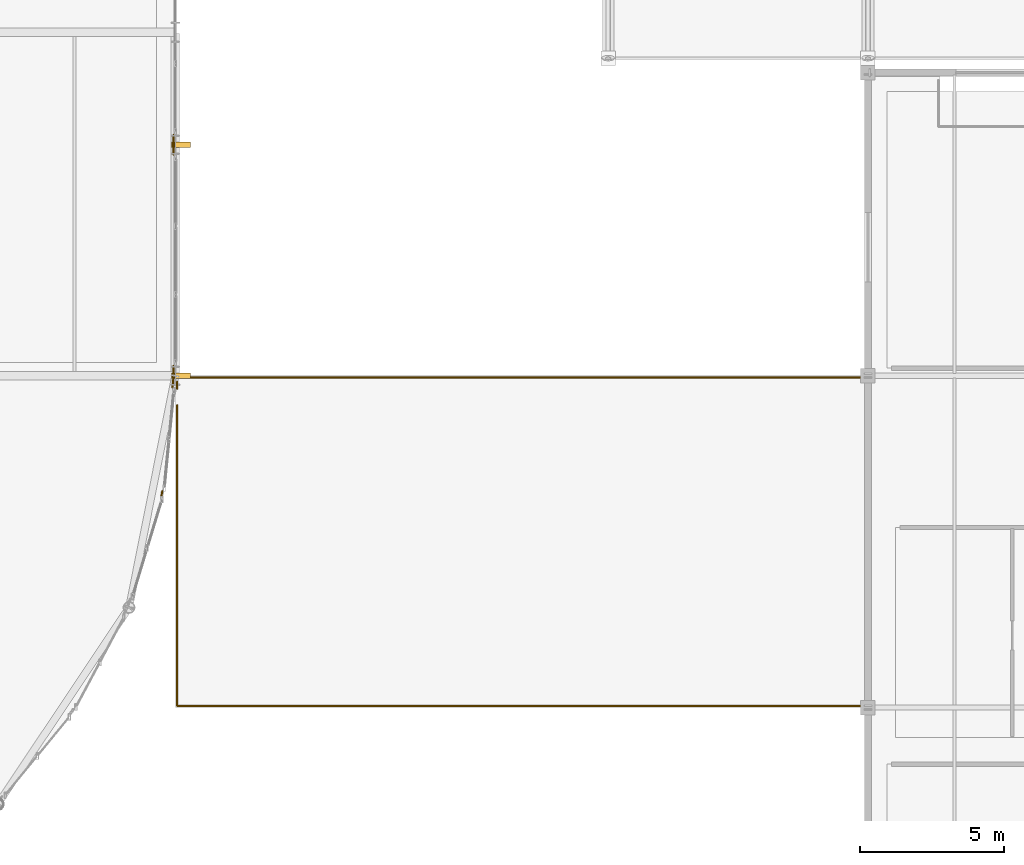
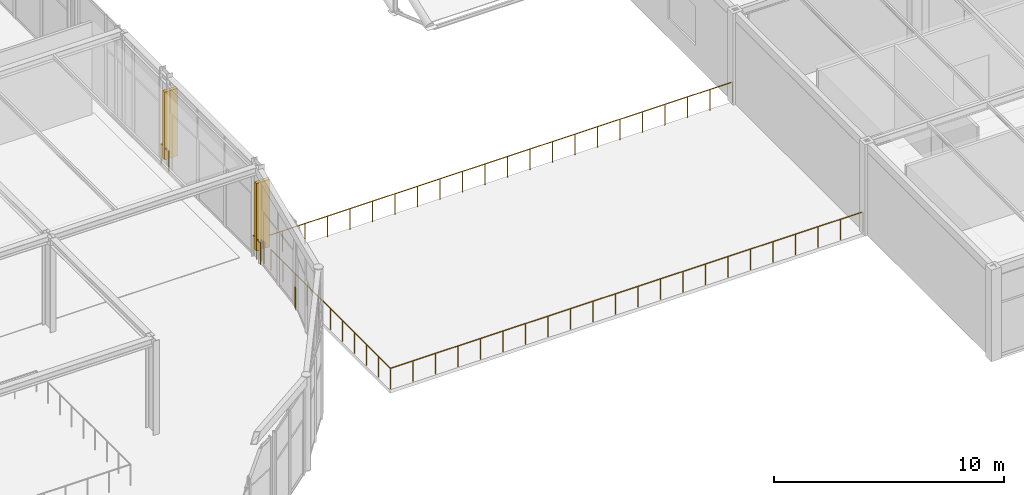
# One storey, part 183 of 195: 7 railings, 2 shading devices.
"""IFC4 building model written with IfcOpenShell, lengths in metres."""

from ifc_helpers import new_model, si_unit, direction, frame, origin, origin_2d, place, context, subcontext, project, spatial, rectangle, circle, extrude, material, type_object, element, save


model = new_model("IFC4")

# Units and contexts
model_context = context("Model", 3, precision=1e-05, world=origin(), true_north=direction((0.0, 1.0)))
body_context = subcontext(model_context, "Body", "Model", "MODEL_VIEW")
ifc_project = project(units=[si_unit("LENGTHUNIT", "METRE"), si_unit("AREAUNIT", "SQUARE_METRE"), si_unit("VOLUMEUNIT", "CUBIC_METRE"), si_unit("PLANEANGLEUNIT", "RADIAN"), si_unit("MASSUNIT", "GRAM", prefix="KILO")], contexts=[model_context])

# Site, building, storey
site_placement = place(None, origin())
site = spatial("IfcSite", under=ifc_project, at=site_placement, CompositionType="ELEMENT")
building_placement = place(site_placement, origin())
building = spatial("IfcBuilding", under=site, at=building_placement, Name="Marlcrest Central Station", CompositionType="ELEMENT")
storey_placement = place(building_placement, frame((0.0, 0.0, 9.800048828125)))
storey = spatial("IfcBuildingStorey", under=building, at=storey_placement, Name="L02", CompositionType="ELEMENT", Elevation=9.800048828125)

# Railings
ifc_material_1 = material(Name="Stainless steel and laminated glass concourse balustrade", Category="steel")
railing_type = type_object("IfcRailingType", Name="GR-02", PredefinedType="BALUSTRADE", material=ifc_material_1)
railing_1_placement = place(storey_placement, frame((128.93994140625, 30.840087890625, 0.0)))
element("IfcRailing", 1, at=railing_1_placement, inside=storey, type_object=railing_type, Name="hr-L02-00510", PredefinedType="BALUSTRADE", context=body_context, shape_type="SweptSolid", body=[
    extrude(circle(Radius=0.02392578125, at=origin_2d()), frame((0.0, 0.0, 1.09619140625), z_axis=(0.0, -1.0, 0.0), x_axis=(1.0, 0.0, 0.0)), (0.0, 0.0, 1.0), 0.68017578125),
    extrude(circle(Radius=0.02099609375, at=origin_2d()), origin(), (0.0, 0.0, 1.0), 1.072021484375),
    extrude(circle(Radius=0.02099609375, at=origin_2d()), frame((0.0, -0.68017578125, 0.0)), (0.0, 0.0, 1.0), 1.072021484375),
])
railing_2_placement = place(storey_placement, frame((128.93994140625, 22.840087890625, 0.0)))
element("IfcRailing", 2, at=railing_2_placement, inside=storey, type_object=railing_type, Name="hr-L02-00511", PredefinedType="BALUSTRADE", context=body_context, shape_type="SweptSolid", body=[
    extrude(circle(Radius=0.02392578125, at=origin_2d()), frame((0.0, 0.0, 1.09619140625), z_axis=(0.0, -1.0, 0.0), x_axis=(1.0, 0.0, 0.0)), (0.0, 0.0, 1.0), 0.337158203125),
    extrude(circle(Radius=0.02392578125, at=origin_2d()), frame((0.0, -0.337158203125, 1.09619140625), z_axis=(-0.096985661157, -0.995285778824, 0.0), x_axis=(0.995285778824, -0.096985661157, 0.0)), (0.0, 0.0, 1.0), 0.412841796875),
    extrude(circle(Radius=0.02099609375, at=origin_2d()), origin(), (0.0, 0.0, 1.0), 1.072021484375),
    extrude(circle(Radius=0.02099609375, at=origin_2d()), frame((0.0, -0.337158203125, 0.0)), (0.0, 0.0, 1.0), 1.072021484375),
    extrude(circle(Radius=0.02099609375, at=origin_2d()), frame((-0.0400390625, -0.748046875, 0.0)), (0.0, 0.0, 1.0), 1.072021484375),
])
railing_3_placement = place(storey_placement, frame((128.5458984375, 18.50390625, 0.0)))
element("IfcRailing", 3, at=railing_3_placement, inside=storey, type_object=railing_type, Name="hr-L02-00512", PredefinedType="BALUSTRADE", context=body_context, shape_type="SweptSolid", body=[
    extrude(circle(Radius=0.02392578125, at=origin_2d()), frame((0.0, 0.0, 1.09619140625), z_axis=(-0.0984209217, -0.995144874966, 0.0), x_axis=(0.995144874966, -0.0984209217, 0.0)), (0.0, 0.0, 1.0), 0.08935546875),
    extrude(circle(Radius=0.02392578125, at=origin_2d()), frame((-0.0087890625, -0.0888671875, 1.09619140625), z_axis=(-0.290837119501, -0.956772580042, 0.0), x_axis=(0.956772580042, -0.290837119501, 0.0)), (0.0, 0.0, 1.0), 0.08984375),
    extrude(circle(Radius=0.02099609375, at=origin_2d()), origin(), (0.0, 0.0, 1.0), 1.072021484375),
    extrude(circle(Radius=0.02099609375, at=origin_2d()), frame((-0.0087890625, -0.0888671875, 0.0)), (0.0, 0.0, 1.0), 1.072021484375),
    extrude(circle(Radius=0.02099609375, at=origin_2d()), frame((-0.034912109375, -0.1748046875, 0.0)), (0.0, 0.0, 1.0), 1.072021484375),
])
railing_4_placement = place(storey_placement, frame((129.06005859375, 11.06005859375, 0.0)))
element("IfcRailing", 4, at=railing_4_placement, inside=storey, type_object=railing_type, Name="hr-L02-00565", PredefinedType="BALUSTRADE", context=body_context, shape_type="SweptSolid", body=[
    extrude(circle(Radius=0.02392578125, at=origin_2d()), frame((0.0, 0.0, 1.09619140625), z_axis=(0.0, 1.0, 0.0), x_axis=(-1.0, 0.0, 0.0)), (0.0, 0.0, 1.0), 10.41796875),
    extrude(circle(Radius=0.02099609375, at=origin_2d()), origin(), (0.0, 0.0, 1.0), 1.072021484375),
    extrude(circle(Radius=0.02099609375, at=origin_2d()), frame((0.0, 1.041748046875, 0.0)), (0.0, 0.0, 1.0), 1.072021484375),
    extrude(circle(Radius=0.02099609375, at=origin_2d()), frame((0.0, 2.08349609375, 0.0)), (0.0, 0.0, 1.0), 1.072021484375),
    extrude(circle(Radius=0.02099609375, at=origin_2d()), frame((0.0, 3.12548828125, 0.0)), (0.0, 0.0, 1.0), 1.072021484375),
    extrude(circle(Radius=0.02099609375, at=origin_2d()), frame((0.0, 4.167236328125, 0.0)), (0.0, 0.0, 1.0), 1.072021484375),
    extrude(circle(Radius=0.02099609375, at=origin_2d()), frame((0.0, 5.208984375, 0.0)), (0.0, 0.0, 1.0), 1.072021484375),
    extrude(circle(Radius=0.02099609375, at=origin_2d()), frame((0.0, 6.250732421875, 0.0)), (0.0, 0.0, 1.0), 1.072021484375),
    extrude(circle(Radius=0.02099609375, at=origin_2d()), frame((0.0, 7.29248046875, 0.0)), (0.0, 0.0, 1.0), 1.072021484375),
    extrude(circle(Radius=0.02099609375, at=origin_2d()), frame((0.0, 8.33447265625, 0.0)), (0.0, 0.0, 1.0), 1.072021484375),
    extrude(circle(Radius=0.02099609375, at=origin_2d()), frame((0.0, 9.376220703125, 0.0)), (0.0, 0.0, 1.0), 1.072021484375),
    extrude(circle(Radius=0.02099609375, at=origin_2d()), frame((0.0, 10.41796875, 0.0)), (0.0, 0.0, 1.0), 1.072021484375),
])
railing_5_placement = place(storey_placement, frame((129.06005859375, 22.050048828125, 0.0)))
element("IfcRailing", 5, at=railing_5_placement, inside=storey, type_object=railing_type, Name="hr-L02-00566", PredefinedType="BALUSTRADE", context=body_context, shape_type="SweptSolid", body=[
    extrude(circle(Radius=0.02392578125, at=origin_2d()), frame((0.0, 0.0, 1.09619140625), z_axis=(0.0, 1.0, 0.0), x_axis=(-1.0, 0.0, 0.0)), (0.0, 0.0, 1.0), 0.240966796875),
    extrude(circle(Radius=0.02099609375, at=origin_2d()), origin(), (0.0, 0.0, 1.0), 1.072021484375),
    extrude(circle(Radius=0.02099609375, at=origin_2d()), frame((0.0, 0.240966796875, 0.0)), (0.0, 0.0, 1.0), 1.072021484375),
])
railing_6_placement = place(storey_placement, frame((129.074951171875, 22.43994140625, 0.0)))
element("IfcRailing", 6, at=railing_6_placement, inside=storey, type_object=railing_type, Name="hr-L02-00567", PredefinedType="BALUSTRADE", context=body_context, shape_type="SweptSolid", body=[
    extrude(circle(Radius=0.02392578125, at=origin_2d()), frame((0.0, 0.0, 1.09619140625), z_axis=(1.0, 0.0, 0.0), x_axis=(0.0, 1.0, 0.0)), (0.0, 0.0, 1.0), 23.748046875),
    extrude(circle(Radius=0.02099609375, at=origin_2d()), origin(), (0.0, 0.0, 1.0), 1.072021484375),
    extrude(circle(Radius=0.02099609375, at=origin_2d()), frame((1.130859375, 0.0, 0.0)), (0.0, 0.0, 1.0), 1.072021484375),
    extrude(circle(Radius=0.02099609375, at=origin_2d()), frame((2.26171875, 0.0, 0.0)), (0.0, 0.0, 1.0), 1.072021484375),
    extrude(circle(Radius=0.02099609375, at=origin_2d()), frame((3.392578125, 0.0, 0.0)), (0.0, 0.0, 1.0), 1.072021484375),
    extrude(circle(Radius=0.02099609375, at=origin_2d()), frame((4.5234375, 0.0, 0.0)), (0.0, 0.0, 1.0), 1.072021484375),
    extrude(circle(Radius=0.02099609375, at=origin_2d()), frame((5.654296875, 0.0, 0.0)), (0.0, 0.0, 1.0), 1.072021484375),
    extrude(circle(Radius=0.02099609375, at=origin_2d()), frame((6.78515625, 0.0, 0.0)), (0.0, 0.0, 1.0), 1.072021484375),
    extrude(circle(Radius=0.02099609375, at=origin_2d()), frame((7.916015625, 0.0, 0.0)), (0.0, 0.0, 1.0), 1.072021484375),
    extrude(circle(Radius=0.02099609375, at=origin_2d()), frame((9.046875, 0.0, 0.0)), (0.0, 0.0, 1.0), 1.072021484375),
    extrude(circle(Radius=0.02099609375, at=origin_2d()), frame((10.177734375, 0.0, 0.0)), (0.0, 0.0, 1.0), 1.072021484375),
    extrude(circle(Radius=0.02099609375, at=origin_2d()), frame((11.30859375, 0.0, 0.0)), (0.0, 0.0, 1.0), 1.072021484375),
    extrude(circle(Radius=0.02099609375, at=origin_2d()), frame((12.439453125, 0.0, 0.0)), (0.0, 0.0, 1.0), 1.072021484375),
    extrude(circle(Radius=0.02099609375, at=origin_2d()), frame((13.5703125, 0.0, 0.0)), (0.0, 0.0, 1.0), 1.072021484375),
    extrude(circle(Radius=0.02099609375, at=origin_2d()), frame((14.701171875, 0.0, 0.0)), (0.0, 0.0, 1.0), 1.072021484375),
    extrude(circle(Radius=0.02099609375, at=origin_2d()), frame((15.83203125, 0.0, 0.0)), (0.0, 0.0, 1.0), 1.072021484375),
    extrude(circle(Radius=0.02099609375, at=origin_2d()), frame((16.962890625, 0.0, 0.0)), (0.0, 0.0, 1.0), 1.072021484375),
    extrude(circle(Radius=0.02099609375, at=origin_2d()), frame((18.09375, 0.0, 0.0)), (0.0, 0.0, 1.0), 1.072021484375),
    extrude(circle(Radius=0.02099609375, at=origin_2d()), frame((19.224609375, 0.0, 0.0)), (0.0, 0.0, 1.0), 1.072021484375),
    extrude(circle(Radius=0.02099609375, at=origin_2d()), frame((20.35546875, 0.0, 0.0)), (0.0, 0.0, 1.0), 1.072021484375),
    extrude(circle(Radius=0.02099609375, at=origin_2d()), frame((21.486328125, 0.0, 0.0)), (0.0, 0.0, 1.0), 1.072021484375),
    extrude(circle(Radius=0.02099609375, at=origin_2d()), frame((22.6171875, 0.0, 0.0)), (0.0, 0.0, 1.0), 1.072021484375),
    extrude(circle(Radius=0.02099609375, at=origin_2d()), frame((23.748046875, 0.0, 0.0)), (0.0, 0.0, 1.0), 1.072021484375),
])
railing_7_placement = place(storey_placement, frame((152.822998046875, 11.06005859375, 0.0)))
element("IfcRailing", 7, at=railing_7_placement, inside=storey, type_object=railing_type, Name="hr-L02-00568", PredefinedType="BALUSTRADE", context=body_context, shape_type="SweptSolid", body=[
    extrude(circle(Radius=0.02392578125, at=origin_2d()), frame((0.0, 0.0, 1.09619140625), z_axis=(-1.0, 0.0, 0.0), x_axis=(0.0, -1.0, 0.0)), (0.0, 0.0, 1.0), 23.762939453125),
    extrude(circle(Radius=0.02099609375, at=origin_2d()), origin(), (0.0, 0.0, 1.0), 1.072021484375),
    extrude(circle(Radius=0.02099609375, at=origin_2d()), frame((-1.131591796875, 0.0, 0.0)), (0.0, 0.0, 1.0), 1.072021484375),
    extrude(circle(Radius=0.02099609375, at=origin_2d()), frame((-2.26318359375, 0.0, 0.0)), (0.0, 0.0, 1.0), 1.072021484375),
    extrude(circle(Radius=0.02099609375, at=origin_2d()), frame((-3.394775390625, 0.0, 0.0)), (0.0, 0.0, 1.0), 1.072021484375),
    extrude(circle(Radius=0.02099609375, at=origin_2d()), frame((-4.5263671875, 0.0, 0.0)), (0.0, 0.0, 1.0), 1.072021484375),
    extrude(circle(Radius=0.02099609375, at=origin_2d()), frame((-5.657958984375, 0.0, 0.0)), (0.0, 0.0, 1.0), 1.072021484375),
    extrude(circle(Radius=0.02099609375, at=origin_2d()), frame((-6.789306640625, 0.0, 0.0)), (0.0, 0.0, 1.0), 1.072021484375),
    extrude(circle(Radius=0.02099609375, at=origin_2d()), frame((-7.9208984375, 0.0, 0.0)), (0.0, 0.0, 1.0), 1.072021484375),
    extrude(circle(Radius=0.02099609375, at=origin_2d()), frame((-9.052490234375, 0.0, 0.0)), (0.0, 0.0, 1.0), 1.072021484375),
    extrude(circle(Radius=0.02099609375, at=origin_2d()), frame((-10.18408203125, 0.0, 0.0)), (0.0, 0.0, 1.0), 1.072021484375),
    extrude(circle(Radius=0.02099609375, at=origin_2d()), frame((-11.315673828125, 0.0, 0.0)), (0.0, 0.0, 1.0), 1.072021484375),
    extrude(circle(Radius=0.02099609375, at=origin_2d()), frame((-12.447265625, 0.0, 0.0)), (0.0, 0.0, 1.0), 1.072021484375),
    extrude(circle(Radius=0.02099609375, at=origin_2d()), frame((-13.578857421875, 0.0, 0.0)), (0.0, 0.0, 1.0), 1.072021484375),
    extrude(circle(Radius=0.02099609375, at=origin_2d()), frame((-14.71044921875, 0.0, 0.0)), (0.0, 0.0, 1.0), 1.072021484375),
    extrude(circle(Radius=0.02099609375, at=origin_2d()), frame((-15.842041015625, 0.0, 0.0)), (0.0, 0.0, 1.0), 1.072021484375),
    extrude(circle(Radius=0.02099609375, at=origin_2d()), frame((-16.9736328125, 0.0, 0.0)), (0.0, 0.0, 1.0), 1.072021484375),
    extrude(circle(Radius=0.02099609375, at=origin_2d()), frame((-18.10498046875, 0.0, 0.0)), (0.0, 0.0, 1.0), 1.072021484375),
    extrude(circle(Radius=0.02099609375, at=origin_2d()), frame((-19.236572265625, 0.0, 0.0)), (0.0, 0.0, 1.0), 1.072021484375),
    extrude(circle(Radius=0.02099609375, at=origin_2d()), frame((-20.3681640625, 0.0, 0.0)), (0.0, 0.0, 1.0), 1.072021484375),
    extrude(circle(Radius=0.02099609375, at=origin_2d()), frame((-21.499755859375, 0.0, 0.0)), (0.0, 0.0, 1.0), 1.072021484375),
    extrude(circle(Radius=0.02099609375, at=origin_2d()), frame((-22.63134765625, 0.0, 0.0)), (0.0, 0.0, 1.0), 1.072021484375),
    extrude(circle(Radius=0.02099609375, at=origin_2d()), frame((-23.762939453125, 0.0, 0.0)), (0.0, 0.0, 1.0), 1.072021484375),
])

# Shading devices
ifc_material_2 = material(Name="Precast concrete C40/50", Category="concrete")
shading_device_type = type_object("IfcShadingDeviceType", Name="SD-BS1", PredefinedType="USERDEFINED", material=ifc_material_2)
for number, where, z_axis, x_axis, name in (
    (8, (129.199951171875, 22.5, 0.5), (0.0, 0.0, 1.0), (0.0, 1.0, 0.0), "shd-L02-0002"),
    (9, (129.199951171875, 30.5, 0.5), (0.0, 0.0, 1.0), (0.0, 1.0, 0.0), "shd-L02-0004"),
):
    element("IfcShadingDevice", number, at=place(storey_placement, frame(where, z_axis=z_axis, x_axis=x_axis)), inside=storey, type_object=shading_device_type, Name=name, ObjectType="BRISE_SOLEIL", PredefinedType="USERDEFINED", context=body_context, shape_type="SweptSolid", body=[
        extrude(rectangle(XDim=0.179931640625, YDim=0.64990234375, at=origin_2d()), origin(), (0.0, 0.0, 1.0), 3.60009765625),
    ])

save(model, "model.ifc")
